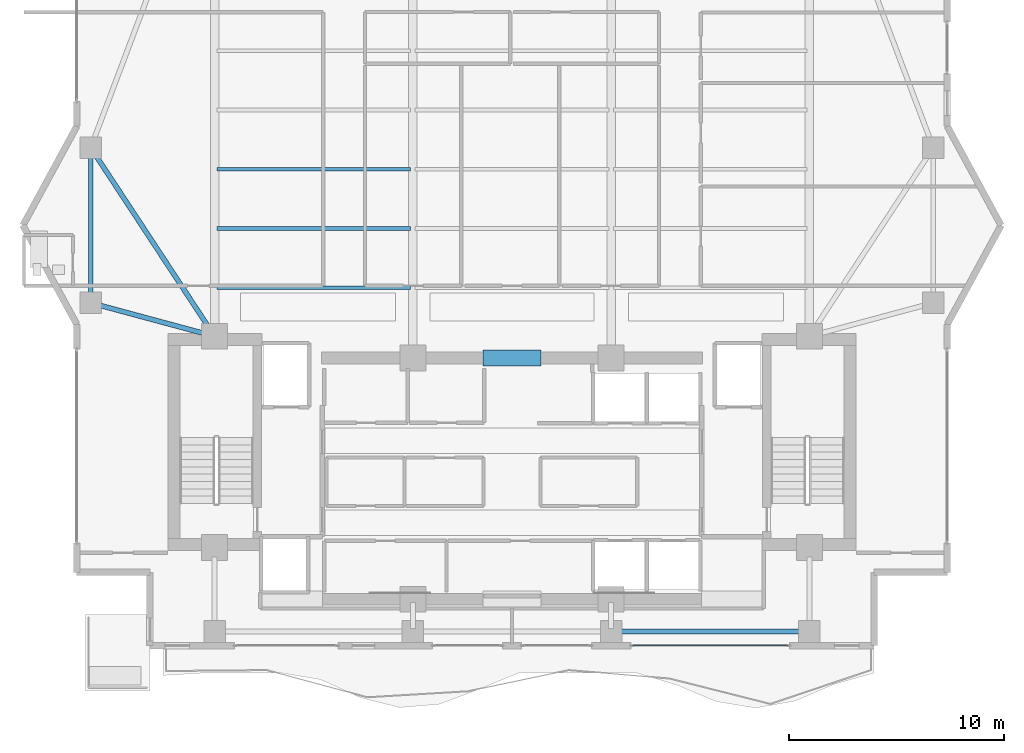
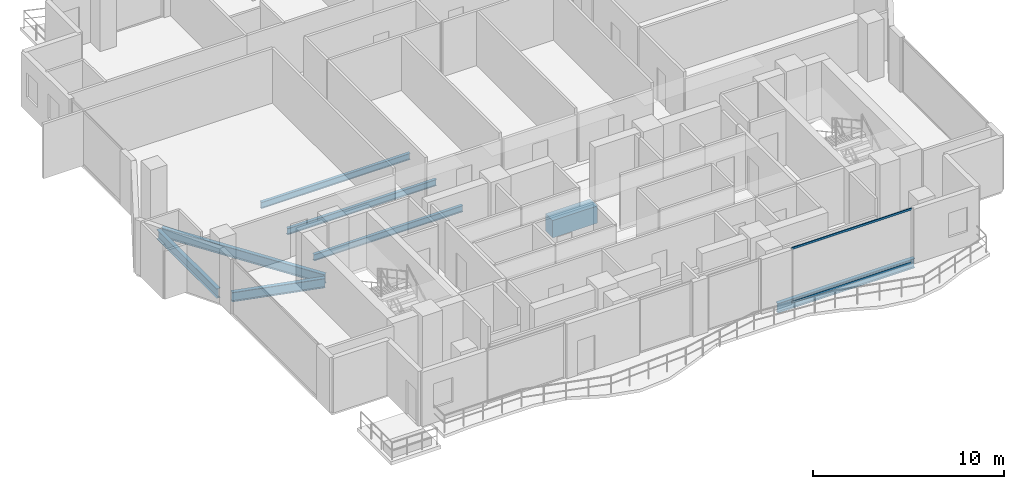
# One storey, part 5 of 24: 8 beams, 2 members, 1 element without a shape of its own.
"""IFC4 building model written with IfcOpenShell, lengths in metres."""

from ifc_helpers import new_model, si_unit, direction, frame, origin, origin_2d, place, context, subcontext, project, spatial, rectangle, hollow_rectangle, i_section, extrude, material, layer, layer_set, material_profile, profile_set, type_object, element, aggregate, save


model = new_model("IFC4")

# Units and contexts
model_context = context("Model", 3, precision=1e-05, world=origin(), true_north=direction((0.0, 1.0)))
body_context = subcontext(model_context, "Body", "Model", "MODEL_VIEW")
ifc_project = project(units=[si_unit("LENGTHUNIT", "METRE"), si_unit("AREAUNIT", "SQUARE_METRE"), si_unit("VOLUMEUNIT", "CUBIC_METRE"), si_unit("PLANEANGLEUNIT", "RADIAN"), si_unit("MASSUNIT", "GRAM", prefix="KILO")], contexts=[model_context])

# Site, building, storey
site_placement = place(None, origin())
site = spatial("IfcSite", under=ifc_project, at=site_placement, CompositionType="ELEMENT")
building_placement = place(site_placement, origin())
building = spatial("IfcBuilding", under=site, at=building_placement, Name="Zuhayl Quay Hotel", CompositionType="ELEMENT")
storey_placement = place(building_placement, frame((0.0, 0.0, 280.35009765625)))
storey = spatial("IfcBuildingStorey", under=building, at=storey_placement, Name="L71", CompositionType="ELEMENT", Elevation=280.35009765625)

# Beams
ifc_material_1 = material(Name="Steel ASTM A992 Grade 50", Category="steel")
ifc_material_profile_1 = material_profile(ifc_material_1, i_section(OverallWidth=0.22802734375, OverallDepth=0.60693359375, WebThickness=0.01123046875, FlangeThickness=0.017333984375, at=origin_2d()), Name="W24X76")
ifc_profile_set_1 = profile_set([ifc_material_profile_1], Name="Steel ASTM A992 Grade 50")
beam_type_1 = type_object("IfcBeamType", Name="BM_B3_W24X76", PredefinedType="BEAM", material=ifc_profile_set_1)
beam_1_placement = place(storey_placement, frame((5.06005859375, 0.64990234375, -0.523681640625), z_axis=(1.0, 0.0, 0.0), x_axis=(0.0, 1.0, 0.0)))
element("IfcBeam", 1, at=beam_1_placement, inside=storey, type_object=beam_type_1, Name="L71 Floor Beam RG_L71_03", PredefinedType="BEAM", context=body_context, shape_type="SweptSolid", body=[
    extrude(i_section(OverallWidth=0.22802734375, OverallDepth=0.60693359375, WebThickness=0.01123046875, FlangeThickness=0.017333984375, at=origin_2d()), origin(), (0.0, 0.0, 1.0), 8.280029296875),
])
beam_2_placement = place(storey_placement, frame((-19.550048828125, 22.639892578125, -0.523681640625), z_axis=(0.0, -1.0, 0.0), x_axis=(1.0, 0.0, 0.0)))
element("IfcBeam", 2, at=beam_2_placement, inside=storey, type_object=beam_type_1, Name="L71 Floor Beam RG_L71_11", PredefinedType="BEAM", context=body_context, shape_type="SweptSolid", body=[
    extrude(i_section(OverallWidth=0.22802734375, OverallDepth=0.60693359375, WebThickness=0.01123046875, FlangeThickness=0.017333984375, at=origin_2d()), origin(), (0.0, 0.0, 1.0), 6.27978515625),
])
beam_3_placement = place(storey_placement, frame((-19.10595703125, 15.7802734375, -0.523681640625), z_axis=(0.965530205773, -0.26029103277, 0.0), x_axis=(0.26029103277, 0.965530205773, 0.0)))
element("IfcBeam", 3, at=beam_3_placement, inside=storey, type_object=beam_type_1, Name="L71 Floor Beam FG_W_L71_1", PredefinedType="BEAM", context=body_context, shape_type="SweptSolid", body=[
    extrude(i_section(OverallWidth=0.22802734375, OverallDepth=0.60693359375, WebThickness=0.01123046875, FlangeThickness=0.017333984375, at=origin_2d()), origin(), (0.0, 0.0, 1.0), 5.045166015625),
])
beam_4_placement = place(storey_placement, frame((-19.29736328125, 22.715576171875, -0.523681640625), z_axis=(0.549177886661, -0.835705479701, 0.0), x_axis=(0.835705479701, 0.549177886661, 0.0)))
element("IfcBeam", 4, at=beam_4_placement, inside=storey, type_object=beam_type_1, Name="L71 Floor Beam FG_W_L71_2", PredefinedType="BEAM", context=body_context, shape_type="SweptSolid", body=[
    extrude(i_section(OverallWidth=0.22802734375, OverallDepth=0.60693359375, WebThickness=0.01123046875, FlangeThickness=0.017333984375, at=origin_2d()), origin(), (0.0, 0.0, 1.0), 9.560302734375),
])
ifc_material_2 = material(Name="Concrete C60/75", Category="concrete")
ifc_material_profile_2 = material_profile(ifc_material_2, rectangle(XDim=0.75, YDim=1.10009765625, at=origin_2d()), Name="RC750X1100")
ifc_profile_set_2 = profile_set([ifc_material_profile_2], Name="Concrete C60/75")
beam_type_2 = type_object("IfcBeamType", Name="BM_CB2_RC750", PredefinedType="T_BEAM", material=ifc_profile_set_2)
beam_5_placement = place(storey_placement, frame((-1.35009765625, 13.35009765625, -0.77001953125), z_axis=(1.0, 0.0, 0.0), x_axis=(0.0, 1.0, 0.0)))
element("IfcBeam", 5, at=beam_5_placement, inside=storey, type_object=beam_type_2, Name="L71 Core Coupling Beam North", PredefinedType="T_BEAM", context=body_context, shape_type="SweptSolid", body=[
    extrude(rectangle(XDim=0.75, YDim=1.10009765625, at=origin_2d()), origin(), (0.0, 0.0, 1.0), 2.7001953125),
])
ifc_material_profile_3 = material_profile(ifc_material_1, i_section(OverallWidth=0.177978515625, OverallDepth=0.404052734375, WebThickness=0.007568359375, FlangeThickness=0.010986328125, at=origin_2d()), Name="W16X36")
ifc_profile_set_3 = profile_set([ifc_material_profile_3], Name="Steel ASTM A992 Grade 50")
beam_type_3 = type_object("IfcBeamType", Name="BM_J3_W16X36", PredefinedType="JOIST", material=ifc_profile_set_3)
for number, where, z_axis, x_axis, name in (
    (6, (-13.694091796875, 16.60009765625, -0.422119140625), (1.0, 0.0, 0.0), (0.0, 1.0, 0.0), "L71 Floor Beam FJ_L71_1_1"),
    (7, (-13.694091796875, 19.35009765625, -0.422119140625), (1.0, 0.0, 0.0), (0.0, 1.0, 0.0), "L71 Floor Beam FJ_L71_2_1"),
    (8, (-13.694091796875, 22.10009765625, -0.422119140625), (1.0, 0.0, 0.0), (0.0, 1.0, 0.0), "L71 Floor Beam FJ_L71_3_1"),
):
    element("IfcBeam", number, at=place(storey_placement, frame(where, z_axis=z_axis, x_axis=x_axis)), inside=storey, type_object=beam_type_3, Name=name, PredefinedType="JOIST", context=body_context, shape_type="SweptSolid", body=[
        extrude(i_section(OverallWidth=0.177978515625, OverallDepth=0.404052734375, WebThickness=0.007568359375, FlangeThickness=0.010986328125, at=origin_2d()), origin(), (0.0, 0.0, 1.0), 8.988037109375),
    ])

# Curtain wall, members
ifc_material_3 = material(Name="Anodised Aluminium 6063-T6", Category="aluminium")
ifc_layer = layer(ifc_material_3, 0.169921875, Name="Anodised Aluminium 6063-T6", Category="aluminium")
ifc_layer_set = layer_set([ifc_layer], Name="Anodised Aluminium 6063-T6")
curtain_wall_type = type_object("IfcCurtainWallType", Name="CW_SYS_Z4", PredefinedType="USERDEFINED", material=ifc_layer_set)
curtain_wall_placement = place(storey_placement, origin())
curtain_wall = element("IfcCurtainWall", 9, at=curtain_wall_placement, inside=storey, type_object=curtain_wall_type, Name="L71 Curtain Wall ENV_L71_S_CW1", ObjectType="UNITISED CURTAIN WALL", PredefinedType="USERDEFINED")
ifc_material_4 = material(Name="Black-anodised aluminium 6063-T6", Category="aluminium")
ifc_material_profile_4 = material_profile(ifc_material_4, hollow_rectangle(XDim=0.054931640625, YDim=0.1298828125, WallThickness=0.0029296875, at=origin_2d()), Name="ALU130X55")
ifc_profile_set_4 = profile_set([ifc_material_profile_4], Name="Black-anodised aluminium 6063-T6")
member_type = type_object("IfcMemberType", Name="MB_CW_TRN_130", PredefinedType="USERDEFINED", material=ifc_profile_set_4)
member_1_placement = place(storey_placement, frame((12.81494140625, 0.0, 0.02734375), z_axis=(-1.0, 0.0, 0.0), x_axis=(0.0, -1.0, 0.0)))
member_1 = element("IfcMember", 10, at=member_1_placement, type_object=member_type, Name="CW-Z4 transom 1.1", ObjectType="TRANSOM", PredefinedType="USERDEFINED", context=body_context, shape_type="SweptSolid", body=[
    extrude(hollow_rectangle(XDim=0.054931640625, YDim=0.1298828125, WallThickness=0.0029296875, at=origin_2d()), origin(), (0.0, 0.0, 1.0), 7.22998046875),
])
member_2_placement = place(storey_placement, frame((12.81494140625, 0.0, 3.452392578125), z_axis=(-1.0, 0.0, 0.0), x_axis=(0.0, -1.0, 0.0)))
member_2 = element("IfcMember", 11, at=member_2_placement, type_object=member_type, Name="CW-Z4 transom 1.2", ObjectType="TRANSOM", PredefinedType="USERDEFINED", context=body_context, shape_type="SweptSolid", body=[
    extrude(hollow_rectangle(XDim=0.054931640625, YDim=0.1298828125, WallThickness=0.0029296875, at=origin_2d()), origin(), (0.0, 0.0, 1.0), 7.22998046875),
])
aggregate(curtain_wall, [member_1, member_2])

save(model, "model.ifc")
